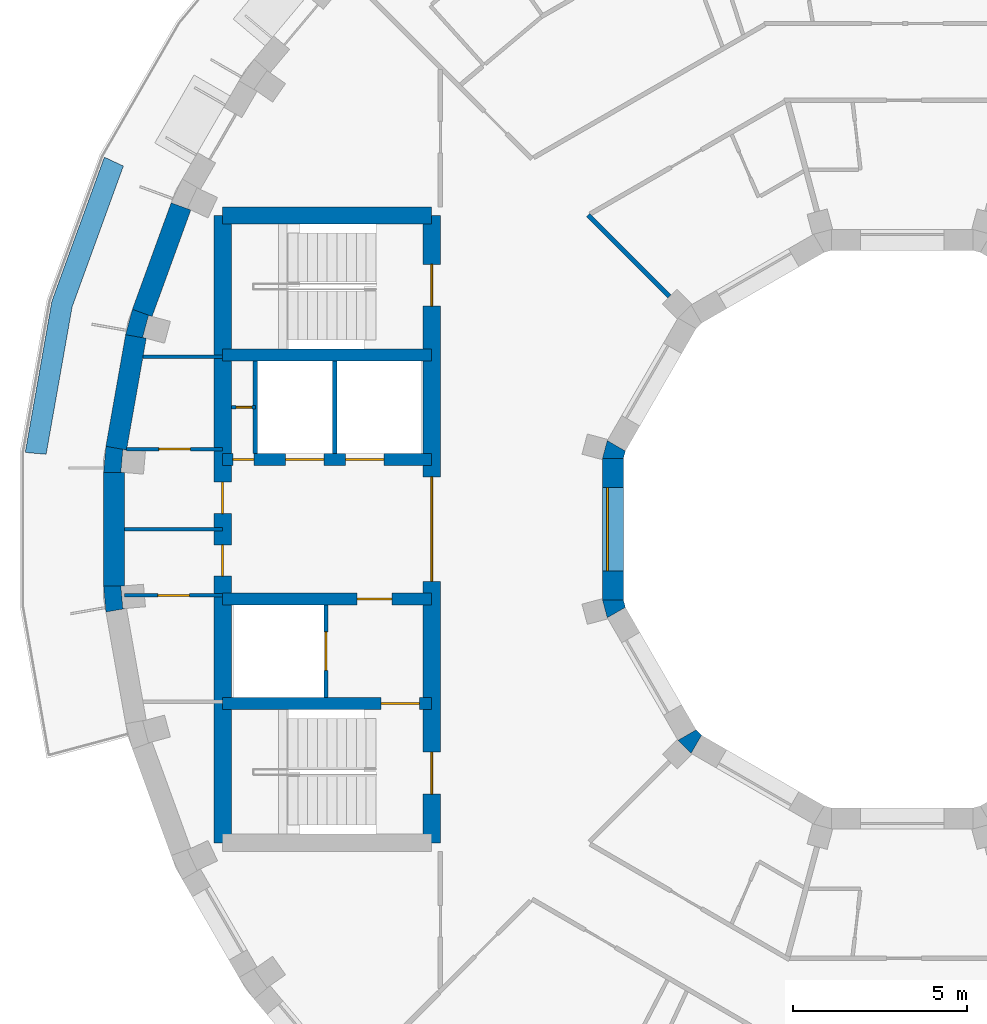
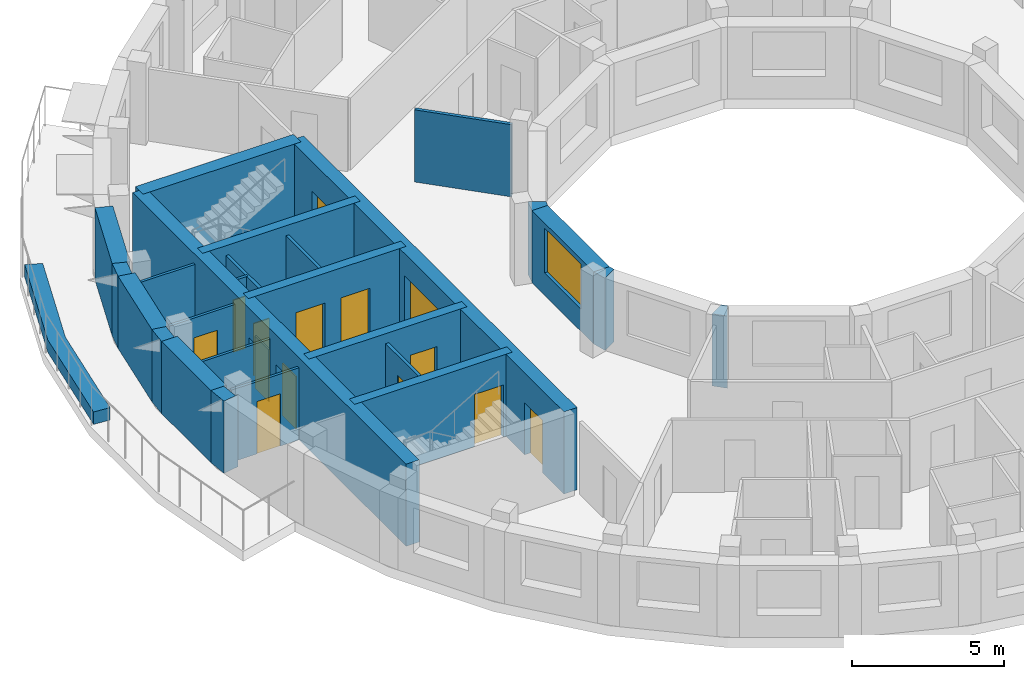
# One storey, part 4 of 10: 27 walls, 14 doors, 1 window, 15 openings.
"""IFC4 building model written with IfcOpenShell, lengths in metres."""

from ifc_helpers import new_model, si_unit, direction, frame, frame_2d, origin, place, context, subcontext, project, spatial, polyline, rectangle, outline, extrude, material, layer, layer_set, type_object, element, fill, save


model = new_model("IFC4")

# Units and contexts
model_context = context("Model", 3, precision=1e-05, world=origin(), true_north=direction((0.0, 1.0)))
body_context = subcontext(model_context, "Body", "Model", "MODEL_VIEW")
ifc_project = project(units=[si_unit("LENGTHUNIT", "METRE"), si_unit("AREAUNIT", "SQUARE_METRE"), si_unit("VOLUMEUNIT", "CUBIC_METRE"), si_unit("PLANEANGLEUNIT", "RADIAN"), si_unit("MASSUNIT", "GRAM", prefix="KILO")], contexts=[model_context])

# Site, building, storey
site_placement = place(None, origin())
site = spatial("IfcSite", under=ifc_project, at=site_placement, CompositionType="ELEMENT")
building_placement = place(site_placement, origin())
building = spatial("IfcBuilding", under=site, at=building_placement, Name="Saqina Gate Tower", CompositionType="ELEMENT")
storey_placement = place(building_placement, frame((0.0, 0.0, 242.89990234375)))
storey = spatial("IfcBuildingStorey", under=building, at=storey_placement, Name="L69", CompositionType="ELEMENT", Elevation=242.89990234375)

# Walls
ifc_material_1 = material(Name="Brick masonry (buff)", Category="masonry")
wall_type_1 = type_object("IfcWallType", Name="BRICK PIER COPING BUFF", PredefinedType="SOLIDWALL", material=ifc_material_1)
wall_1_placement = place(storey_placement, origin())
element("IfcWall", 1, at=wall_1_placement, inside=storey, type_object=wall_type_1, Name="Pier cap L69 column 17", PredefinedType="SOLIDWALL", context=body_context, shape_type="SweptSolid", body=[
    extrude(outline(polyline([(-22.281982421875, 5.579833984375), (-21.691162109375, 5.4755859375), (-21.793212890625, 5.5029296875), (-21.625, 6.130859375), (-21.52294921875, 6.103515625), (-22.0869140625, 6.30859375), (-22.281982421875, 5.579833984375)])), origin(), (0.0, 0.0, 1.0), 2.900146484375),
])
wall_2_placement = place(storey_placement, origin())
element("IfcWall", 2, at=wall_2_placement, inside=storey, type_object=wall_type_1, Name="Pier cap L69 column 18", PredefinedType="SOLIDWALL", context=body_context, shape_type="SweptSolid", body=[
    extrude(outline(polyline([(-22.8466796875, 2.377685546875), (-22.91259765625, 1.625732421875), (-22.3125, 1.625732421875), (-22.417724609375, 1.635009765625), (-22.361083984375, 2.28271484375), (-22.255859375, 2.2734375), (-22.8466796875, 2.377685546875)])), origin(), (0.0, 0.0, 1.0), 2.900146484375),
])
wall_3_placement = place(storey_placement, origin())
element("IfcWall", 3, at=wall_3_placement, inside=storey, type_object=wall_type_1, Name="Pier cap L69 column 19", PredefinedType="SOLIDWALL", context=body_context, shape_type="SweptSolid", body=[
    extrude(outline(polyline([(-22.91259765625, -1.625732421875), (-22.8466796875, -2.377685546875), (-22.255859375, -2.2734375), (-22.361083984375, -2.28271484375), (-22.417724609375, -1.635009765625), (-22.3125, -1.625732421875), (-22.91259765625, -1.625732421875)])), origin(), (0.0, 0.0, 1.0), 2.900146484375),
])

# Wall, opening, door
ifc_material_2 = material(Name="Gypsum board on steel studs", Category="steel")
ifc_layer_1 = layer(ifc_material_2, 0.10009765625)
ifc_layer_set_1 = layer_set([ifc_layer_1], Name="CORE PARTITION")
wall_type_2 = type_object("IfcWallType", Name="CORE PARTITION", PredefinedType="PARTITIONING", material=ifc_layer_set_1)
wall_4_placement = place(storey_placement, frame((-18.56005859375, 3.5, 0.0), z_axis=(0.0, 0.0, 1.0), x_axis=(-1.0, 0.0, 0.0)))
wall_4 = element("IfcWall", 4, at=wall_4_placement, inside=storey, type_object=wall_type_2, Name="L69-CP-W01", PredefinedType="PARTITIONING", context=body_context, shape_type="SweptSolid", body=[
    extrude(rectangle(XDim=0.68994140625, YDim=0.10009765625, at=frame_2d((0.344970703125, 0.0))), origin(), (0.0, 0.0, 1.0), 2.900146484375),
])
opening_1_placement = place(wall_4_placement, frame((0.10009765625, 0.0, 0.0)))
opening_1 = element("IfcOpeningElement", 5, at=opening_1_placement, cuts=wall_4, Name="Opening G20-D107", PredefinedType="OPENING", context=body_context, shape_type="SweptSolid", body=[
    extrude(rectangle(XDim=0.449951171875, YDim=2.10009765625, at=frame_2d((0.22509765625, 1.050048828125))), frame((0.0, 0.06201171875, 0.0), z_axis=(0.0, -1.0, 0.0), x_axis=(1.0, 0.0, 0.0)), (0.0, 0.0, 1.0), 0.1240234375),
])
ifc_material_3 = material(Name="Steel-framed fire door leaf, EI 60", Category="steel")
door_type_1 = type_object("IfcDoorType", Name="SERVICE ROOM DOOR 450", OperationType="SINGLE_SWING_LEFT", PredefinedType="DOOR", material=ifc_material_3)
door_1_placement = place(opening_1_placement, origin())
door_1 = element("IfcDoor", 6, at=door_1_placement, inside=storey, type_object=door_type_1, Name="L69-CD-W18", OperationType="SINGLE_SWING_RIGHT", OverallHeight=2.10009765625, OverallWidth=0.449951171875, PredefinedType="DOOR", context=body_context, shape_type="SweptSolid", body=[
    extrude(rectangle(XDim=0.449951171875, YDim=2.10009765625, at=frame_2d((0.22509765625, 1.050048828125))), frame((0.0, 0.02490234375, 0.0), z_axis=(0.0, -1.0, 0.0), x_axis=(1.0, 0.0, 0.0)), (0.0, 0.0, 1.0), 0.050048828125),
])
fill(opening_1, door_1)

# Wall
wall_5_placement = place(storey_placement, frame((-19.5, 4.949951171875, 0.0), z_axis=(0.0, 0.0, 1.0), x_axis=(-1.0, 0.0, 0.0)))
element("IfcWall", 7, at=wall_5_placement, inside=storey, type_object=wall_type_2, Name="L69-CP-W02", PredefinedType="PARTITIONING", context=body_context, shape_type="SweptSolid", body=[
    extrude(rectangle(XDim=2.283935546875, YDim=0.10009765625, at=frame_2d((1.14208984375, 0.0))), origin(), (0.0, 0.0, 1.0), 2.900146484375),
])

# Wall, opening, door
wall_6_placement = place(storey_placement, frame((-19.5, 2.300048828125, 0.0), z_axis=(0.0, 0.0, 1.0), x_axis=(-1.0, 0.0, 0.0)))
wall_6 = element("IfcWall", 8, at=wall_6_placement, inside=storey, type_object=wall_type_2, Name="L69-CP-W03", PredefinedType="PARTITIONING", context=body_context, shape_type="SweptSolid", body=[
    extrude(rectangle(XDim=2.751220703125, YDim=0.10009765625, at=frame_2d((1.37548828125, 0.0))), origin(), (0.0, 0.0, 1.0), 2.900146484375),
])
opening_2_placement = place(wall_6_placement, frame((0.925537109375, 0.0, 0.0)))
opening_2 = element("IfcOpeningElement", 9, at=opening_2_placement, cuts=wall_6, Name="Opening G20-D103", PredefinedType="OPENING", context=body_context, shape_type="SweptSolid", body=[
    extrude(rectangle(XDim=0.89990234375, YDim=2.10009765625, at=frame_2d((0.449951171875, 1.050048828125))), frame((0.0, 0.06201171875, 0.0), z_axis=(0.0, -1.0, 0.0), x_axis=(1.0, 0.0, 0.0)), (0.0, 0.0, 1.0), 0.1240234375),
])
ifc_material_4 = material(Name="Steel-framed fire door leaf, EI 60", Category="steel")
door_type_2 = type_object("IfcDoorType", Name="SERVICE ROOM DOOR 900", OperationType="SINGLE_SWING_LEFT", PredefinedType="DOOR", material=ifc_material_4)
door_2_placement = place(opening_2_placement, frame((0.89990234375, 0.0, 0.0), z_axis=(0.0, 0.0, 1.0), x_axis=(-1.0, 0.0, 0.0)))
door_2 = element("IfcDoor", 10, at=door_2_placement, inside=storey, type_object=door_type_2, Name="L69-CD-W14", OperationType="SINGLE_SWING_RIGHT", OverallHeight=2.10009765625, OverallWidth=0.89990234375, PredefinedType="DOOR", context=body_context, shape_type="SweptSolid", body=[
    extrude(rectangle(XDim=0.89990234375, YDim=2.10009765625, at=frame_2d((0.449951171875, 1.050048828125))), frame((0.0, 0.02490234375, 0.0), z_axis=(0.0, -1.0, 0.0), x_axis=(1.0, 0.0, 0.0)), (0.0, 0.0, 1.0), 0.050048828125),
])
fill(opening_2, door_2)

wall_7_placement = place(storey_placement, frame((-19.5, -1.89990234375, 0.0), z_axis=(0.0, 0.0, 1.0), x_axis=(-1.0, 0.0, 0.0)))
wall_7 = element("IfcWall", 11, at=wall_7_placement, inside=storey, type_object=wall_type_2, Name="L69-CP-W05", PredefinedType="PARTITIONING", context=body_context, shape_type="SweptSolid", body=[
    extrude(rectangle(XDim=2.8125, YDim=0.10009765625, at=frame_2d((1.40625, 0.0))), origin(), (0.0, 0.0, 1.0), 2.900146484375),
])
opening_3_placement = place(wall_7_placement, frame((0.956298828125, 0.0, 0.0)))
opening_3 = element("IfcOpeningElement", 12, at=opening_3_placement, cuts=wall_7, Name="Opening G20-D105", PredefinedType="OPENING", context=body_context, shape_type="SweptSolid", body=[
    extrude(rectangle(XDim=0.89990234375, YDim=2.10009765625, at=frame_2d((0.449951171875, 1.050048828125))), frame((0.0, 0.06201171875, 0.0), z_axis=(0.0, -1.0, 0.0), x_axis=(1.0, 0.0, 0.0)), (0.0, 0.0, 1.0), 0.1240234375),
])
door_3_placement = place(opening_3_placement, origin())
door_3 = element("IfcDoor", 13, at=door_3_placement, inside=storey, type_object=door_type_2, Name="L69-CD-W16", OperationType="SINGLE_SWING_RIGHT", OverallHeight=2.10009765625, OverallWidth=0.89990234375, PredefinedType="DOOR", context=body_context, shape_type="SweptSolid", body=[
    extrude(rectangle(XDim=0.89990234375, YDim=2.10009765625, at=frame_2d((0.449951171875, 1.050048828125))), frame((0.0, 0.02490234375, 0.0), z_axis=(0.0, -1.0, 0.0), x_axis=(1.0, 0.0, 0.0)), (0.0, 0.0, 1.0), 0.050048828125),
])
fill(opening_3, door_3)

# Walls
wall_8_placement = place(storey_placement, frame((-19.5, 0.0, 0.0), z_axis=(0.0, 0.0, 1.0), x_axis=(-1.0, 0.0, 0.0)))
element("IfcWall", 14, at=wall_8_placement, inside=storey, type_object=wall_type_2, Name="L69-CP-W06", PredefinedType="PARTITIONING", context=body_context, shape_type="SweptSolid", body=[
    extrude(rectangle(XDim=2.8125, YDim=0.10009765625, at=frame_2d((1.40625, 0.0))), origin(), (0.0, 0.0, 1.0), 2.900146484375),
])
ifc_material_5 = material(Name="Glazed ceramic tile", Category="ceramic")
ifc_layer_2 = layer(ifc_material_5, 0.60009765625)
ifc_layer_set_2 = layer_set([ifc_layer_2], Name="FW-TILE")
wall_type_3 = type_object("IfcWallType", Name="FW-TILE", PredefinedType="SOLIDWALL", material=ifc_layer_set_2)
wall_9_placement = place(storey_placement, frame((-20.692626953125, 9.26171875, 0.0), z_axis=(0.0, 0.0, 1.0), x_axis=(-0.342056509473, -0.939679383794, 0.0)))
element("IfcWall", 15, at=wall_9_placement, inside=storey, type_object=wall_type_3, Name="Facade wall L69 facet 16", PredefinedType="SOLIDWALL", context=body_context, shape_type="SweptSolid", body=[
    extrude(rectangle(XDim=3.251708984375, YDim=0.60009765625, at=frame_2d((1.6259765625, 0.0))), origin(), (0.0, 0.0, 1.0), 2.900146484375),
])
wall_10_placement = place(storey_placement, frame((-22.612548828125, 1.625732421875, 0.0), z_axis=(0.0, 0.0, 1.0), x_axis=(0.0, -1.0, 0.0)))
element("IfcWall", 16, at=wall_10_placement, inside=storey, type_object=wall_type_3, Name="Facade wall L69 facet 18", PredefinedType="SOLIDWALL", context=body_context, shape_type="SweptSolid", body=[
    extrude(rectangle(XDim=3.25146484375, YDim=0.60009765625, at=frame_2d((1.625732421875, 0.0))), origin(), (0.0, 0.0, 1.0), 2.900146484375),
])
ifc_material_6 = material(Name="Glazed ceramic tile (dark blue)", Category="ceramic")
ifc_layer_3 = layer(ifc_material_6, 0.60009765625)
ifc_layer_set_3 = layer_set([ifc_layer_3], Name="FW-TILE-CB")
wall_type_4 = type_object("IfcWallType", Name="FW-TILE-CB", PredefinedType="SOLIDWALL", material=ifc_layer_set_3)
wall_11_placement = place(storey_placement, frame((-21.986572265625, 5.52783203125, 0.0), z_axis=(0.0, 0.0, 1.0), x_axis=(-0.173656842178, -0.984806225186, 0.0)))
element("IfcWall", 17, at=wall_11_placement, inside=storey, type_object=wall_type_4, Name="Facade wall L69 facet 17", PredefinedType="SOLIDWALL", context=body_context, shape_type="SweptSolid", body=[
    extrude(rectangle(XDim=3.251708984375, YDim=0.60009765625, at=frame_2d((1.6259765625, 0.0))), origin(), (0.0, 0.0, 1.0), 2.900146484375),
])

# Wall, opening, window
ifc_material_7 = material(Name="Glazed ceramic tile", Category="ceramic")
ifc_layer_4 = layer(ifc_material_7, 0.60009765625)
ifc_layer_set_4 = layer_set([ifc_layer_4], Name="IW-TILE")
wall_type_5 = type_object("IfcWallType", Name="IW-TILE", PredefinedType="SOLIDWALL", material=ifc_layer_set_4)
wall_12_placement = place(storey_placement, frame((-8.300048828125, 2.029296875, 0.0), z_axis=(0.0, 0.0, 1.0), x_axis=(0.0, -1.0, 0.0)))
wall_12 = element("IfcWall", 18, at=wall_12_placement, inside=storey, type_object=wall_type_5, Name="Well wall L69 facet 6", PredefinedType="SOLIDWALL", context=body_context, shape_type="SweptSolid", body=[
    extrude(rectangle(XDim=4.05859375, YDim=0.60009765625, at=frame_2d((2.029296875, 0.0))), origin(), (0.0, 0.0, 1.0), 2.900146484375),
])
opening_4_placement = place(wall_12_placement, frame((0.829345703125, 0.0, 0.89990234375)))
opening_4 = element("IfcOpeningElement", 19, at=opening_4_placement, cuts=wall_12, Name="Opening G20-W30", PredefinedType="OPENING", context=body_context, shape_type="SweptSolid", body=[
    extrude(rectangle(XDim=2.39990234375, YDim=1.800048828125, at=frame_2d((1.199951171875, 0.89990234375))), frame((0.0, 0.31201171875, 0.0), z_axis=(0.0, -1.0, 0.0), x_axis=(1.0, 0.0, 0.0)), (0.0, 0.0, 1.0), 0.6240234375),
])
ifc_material_8 = material(Name="Aluminium glazing", Category="aluminium")
window_type = type_object("IfcWindowType", Name="WN-W", PartitioningType="SINGLE_PANEL", PredefinedType="WINDOW", material=ifc_material_8)
window_placement = place(opening_4_placement, origin())
window = element("IfcWindow", 20, at=window_placement, inside=storey, type_object=window_type, Name="Well window L69 facet 6", OverallHeight=1.800048828125, OverallWidth=2.39990234375, PartitioningType="SINGLE_PANEL", PredefinedType="WINDOW", context=body_context, shape_type="SweptSolid", body=[
    extrude(rectangle(XDim=2.39990234375, YDim=1.800048828125, at=frame_2d((1.199951171875, 0.89990234375))), frame((0.0, -0.119873046875, 0.0), z_axis=(0.0, -1.0, 0.0), x_axis=(1.0, 0.0, 0.0)), (0.0, 0.0, 1.0), 0.06005859375),
])
fill(opening_4, window)

# Walls
ifc_material_9 = material(Name="Gypsum board on steel studs, 125 mm, fire rated", Category="steel")
ifc_layer_5 = layer(ifc_material_9, 0.125)
ifc_layer_set_5 = layer_set([ifc_layer_5], Name="PARTITION EI 30 125")
wall_type_6 = type_object("IfcWallType", Name="PARTITION EI 30 125", PredefinedType="PARTITIONING", material=ifc_layer_set_5)
wall_13_placement = place(storey_placement, frame((-9.011962890625, 9.011962890625, 0.0), z_axis=(0.0, 0.0, 1.0), x_axis=(0.707106781187, -0.707106781187, 0.0)))
element("IfcWall", 21, at=wall_13_placement, inside=storey, type_object=wall_type_6, Name="PARTITION PW1-07", PredefinedType="PARTITIONING", context=body_context, shape_type="SweptSolid", body=[
    extrude(rectangle(XDim=3.302490234375, YDim=0.125, at=frame_2d((1.6513671875, 0.0))), origin(), (0.0, 0.0, 1.0), 2.900146484375),
])
ifc_material_10 = material(Name="Brick masonry (red)", Category="masonry")
ifc_layer_6 = layer(ifc_material_10, 0.60009765625)
ifc_layer_set_6 = layer_set([ifc_layer_6], Name="PL-PLANTER")
wall_type_7 = type_object("IfcWallType", Name="PL-PLANTER", PredefinedType="PARAPET", material=ifc_layer_set_6)
wall_14_placement = place(storey_placement, origin())
element("IfcWall", 22, at=wall_14_placement, inside=storey, type_object=wall_type_7, Name="Planter L69", PredefinedType="PARAPET", context=body_context, shape_type="SweptSolid", body=[
    extrude(outline(polyline([(-22.89208984375, 10.6748046875), (-24.39794921875, 6.537353515625), (-25.16259765625, 2.201416015625), (-24.5625, 2.14892578125), (-23.816162109375, 6.381591796875), (-22.34619140625, 10.420166015625), (-22.89208984375, 10.6748046875)])), origin(), (0.0, 0.0, 1.0), 0.5),
])
ifc_material_11 = material(Name="Autoclaved aerated concrete block", Category="concrete")
ifc_layer_7 = layer(ifc_material_11, 0.1201171875)
ifc_layer_set_7 = layer_set([ifc_layer_7], Name="SHAFT PARTITION")
wall_type_8 = type_object("IfcWallType", Name="SHAFT PARTITION", PredefinedType="PARTITIONING", material=ifc_layer_set_7)
for number, where, z_axis, x_axis, name in (
    (23, (-16.280029296875, 2.175048828125, 0.0), (0.0, 0.0, 1.0), (0.0, 1.0, 0.0), "L69-CP-W07"),
    (24, (-18.56005859375, 2.175048828125, 0.0), (0.0, 0.0, 1.0), (0.0, 1.0, 0.0), "L69-CP-W08"),
):
    element("IfcWall", number, at=place(storey_placement, frame(where, z_axis=z_axis, x_axis=x_axis)), inside=storey, type_object=wall_type_8, Name=name, PredefinedType="PARTITIONING", context=body_context, shape_type="SweptSolid", body=[
        extrude(rectangle(XDim=2.64990234375, YDim=0.1201171875, at=frame_2d((1.324951171875, 0.0))), origin(), (0.0, 0.0, 1.0), 2.900146484375),
    ])

# Wall, opening, door
wall_15_placement = place(storey_placement, frame((-16.530029296875, -4.824951171875, 0.0), z_axis=(0.0, 0.0, 1.0), x_axis=(0.0, 1.0, 0.0)))
wall_15 = element("IfcWall", 25, at=wall_15_placement, inside=storey, type_object=wall_type_8, Name="L69-CP-W09", PredefinedType="PARTITIONING", context=body_context, shape_type="SweptSolid", body=[
    extrude(rectangle(XDim=2.64990234375, YDim=0.1201171875, at=frame_2d((1.324951171875, 0.0))), origin(), (0.0, 0.0, 1.0), 2.900146484375),
])
opening_5_placement = place(wall_15_placement, frame((0.77490234375, 0.0, 0.0)))
opening_5 = element("IfcOpeningElement", 26, at=opening_5_placement, cuts=wall_15, Name="Opening G20-LD6", PredefinedType="OPENING", context=body_context, shape_type="SweptSolid", body=[
    extrude(rectangle(XDim=1.10009765625, YDim=2.10009765625, at=frame_2d((0.550048828125, 1.050048828125))), frame((0.0, 0.072021484375, 0.0), z_axis=(0.0, -1.0, 0.0), x_axis=(1.0, 0.0, 0.0)), (0.0, 0.0, 1.0), 0.14404296875),
])
ifc_material_12 = material(Name="Stainless steel", Category="steel")
door_type_3 = type_object("IfcDoorType", Name="LANDING DOOR", OperationType="DOUBLE_DOOR_SLIDING", PredefinedType="DOOR", material=ifc_material_12)
door_4_placement = place(opening_5_placement, origin())
door_4 = element("IfcDoor", 27, at=door_4_placement, inside=storey, type_object=door_type_3, Name="LANDING DOOR FF2", OperationType="DOUBLE_DOOR_SLIDING", OverallHeight=2.10009765625, OverallWidth=1.10009765625, PredefinedType="DOOR", context=body_context, shape_type="SweptSolid", body=[
    extrude(rectangle(XDim=1.10009765625, YDim=2.10009765625, at=frame_2d((0.550048828125, 1.050048828125))), frame((0.0, 0.02490234375, 0.0), z_axis=(0.0, -1.0, 0.0), x_axis=(1.0, 0.0, 0.0)), (0.0, 0.0, 1.0), 0.050048828125),
])
fill(opening_5, door_4)

# Wall
ifc_material_13 = material(Name="Concrete C60/75", Category="concrete")
ifc_layer_8 = layer(ifc_material_13, 0.35009765625)
ifc_layer_set_8 = layer_set([ifc_layer_8], Name="Concrete C60/75")
wall_type_9 = type_object("IfcWallType", Name="STR-CORE WALL-D-I", PredefinedType="SHEAR", material=ifc_layer_set_8)
wall_16_placement = place(storey_placement, frame((-13.5, 5.0, 0.0), z_axis=(0.0, 0.0, 1.0), x_axis=(-1.0, 0.0, 0.0)))
element("IfcWall", 28, at=wall_16_placement, inside=storey, type_object=wall_type_9, Name="CORE WALL L69 W-X1", PredefinedType="SHEAR", context=body_context, shape_type="SweptSolid", body=[
    extrude(rectangle(XDim=6.0, YDim=0.35009765625, at=frame_2d((3.0, 0.0))), origin(), (0.0, 0.0, 1.0), 3.300048828125),
])

# Wall, opening, door
wall_17_placement = place(storey_placement, frame((-13.5, -5.0, 0.0), z_axis=(0.0, 0.0, 1.0), x_axis=(-1.0, 0.0, 0.0)))
wall_17 = element("IfcWall", 29, at=wall_17_placement, inside=storey, type_object=wall_type_9, Name="CORE WALL L69 W-X2", PredefinedType="SHEAR", context=body_context, shape_type="SweptSolid", body=[
    extrude(rectangle(XDim=6.0, YDim=0.35009765625, at=frame_2d((3.0, 0.0))), origin(), (0.0, 0.0, 1.0), 3.300048828125),
])
opening_6_placement = place(wall_17_placement, frame((0.35009765625, 0.0, 0.0)))
opening_6 = element("IfcOpeningElement", 30, at=opening_6_placement, cuts=wall_17, Name="Opening G20-D108", PredefinedType="OPENING", context=body_context, shape_type="SweptSolid", body=[
    extrude(rectangle(XDim=1.10009765625, YDim=2.10009765625, at=frame_2d((0.550048828125, 1.050048828125))), frame((0.0, 0.18701171875, 0.0), z_axis=(0.0, -1.0, 0.0), x_axis=(1.0, 0.0, 0.0)), (0.0, 0.0, 1.0), 0.3740234375),
])
ifc_material_14 = material(Name="Steel", Category="steel")
door_type_4 = type_object("IfcDoorType", Name="FIRE LOBBY DOOR EI 60 WIDE", OperationType="SINGLE_SWING_LEFT", PredefinedType="DOOR", material=ifc_material_14)
door_5_placement = place(opening_6_placement, origin())
door_5 = element("IfcDoor", 31, at=door_5_placement, inside=storey, type_object=door_type_4, Name="L69-CD-W19", OperationType="SINGLE_SWING_LEFT", OverallHeight=2.10009765625, OverallWidth=1.10009765625, PredefinedType="DOOR", context=body_context, shape_type="SweptSolid", body=[
    extrude(rectangle(XDim=1.10009765625, YDim=2.10009765625, at=frame_2d((0.550048828125, 1.050048828125))), frame((0.0, 0.02490234375, 0.0), z_axis=(0.0, -1.0, 0.0), x_axis=(1.0, 0.0, 0.0)), (0.0, 0.0, 1.0), 0.050048828125),
])
fill(opening_6, door_5)

# Wall, openings, doors
wall_18_placement = place(storey_placement, frame((-13.5, 2.0, 0.0), z_axis=(0.0, 0.0, 1.0), x_axis=(-1.0, 0.0, 0.0)))
wall_18 = element("IfcWall", 32, at=wall_18_placement, inside=storey, type_object=wall_type_9, Name="CORE WALL L69 W-L1", PredefinedType="SHEAR", context=body_context, shape_type="SweptSolid", body=[
    extrude(rectangle(XDim=6.0, YDim=0.35009765625, at=frame_2d((3.0, 0.0))), origin(), (0.0, 0.0, 1.0), 3.300048828125),
])
opening_7_placement = place(wall_18_placement, frame((1.3701171875, 0.0, 0.0)))
opening_7 = element("IfcOpeningElement", 33, at=opening_7_placement, cuts=wall_18, Name="Opening G20-LD4", PredefinedType="OPENING", context=body_context, shape_type="SweptSolid", body=[
    extrude(rectangle(XDim=1.10009765625, YDim=2.10009765625, at=frame_2d((0.550048828125, 1.050048828125))), frame((0.0, 0.18701171875, 0.0), z_axis=(0.0, -1.0, 0.0), x_axis=(1.0, 0.0, 0.0)), (0.0, 0.0, 1.0), 0.3740234375),
])
opening_8_placement = place(wall_18_placement, frame((3.090087890625, 0.0, 0.0)))
opening_8 = element("IfcOpeningElement", 34, at=opening_8_placement, cuts=wall_18, Name="Opening G20-LD5", PredefinedType="OPENING", context=body_context, shape_type="SweptSolid", body=[
    extrude(rectangle(XDim=1.10009765625, YDim=2.10009765625, at=frame_2d((0.550048828125, 1.050048828125))), frame((0.0, 0.18701171875, 0.0), z_axis=(0.0, -1.0, 0.0), x_axis=(1.0, 0.0, 0.0)), (0.0, 0.0, 1.0), 0.3740234375),
])
opening_9_placement = place(wall_18_placement, frame((5.10498046875, 0.0, 0.0)))
opening_9 = element("IfcOpeningElement", 35, at=opening_9_placement, cuts=wall_18, Name="Opening G20-D101", PredefinedType="OPENING", context=body_context, shape_type="SweptSolid", body=[
    extrude(rectangle(XDim=0.60009765625, YDim=2.10009765625, at=frame_2d((0.300048828125, 1.050048828125))), frame((0.0, 0.18701171875, 0.0), z_axis=(0.0, -1.0, 0.0), x_axis=(1.0, 0.0, 0.0)), (0.0, 0.0, 1.0), 0.3740234375),
])
door_6_placement = place(opening_7_placement, origin())
door_6 = element("IfcDoor", 36, at=door_6_placement, inside=storey, type_object=door_type_3, Name="LANDING DOOR HR3", OperationType="DOUBLE_DOOR_SLIDING", OverallHeight=2.10009765625, OverallWidth=1.10009765625, PredefinedType="DOOR", context=body_context, shape_type="SweptSolid", body=[
    extrude(rectangle(XDim=1.10009765625, YDim=2.10009765625, at=frame_2d((0.550048828125, 1.050048828125))), frame((0.0, 0.02490234375, 0.0), z_axis=(0.0, -1.0, 0.0), x_axis=(1.0, 0.0, 0.0)), (0.0, 0.0, 1.0), 0.050048828125),
])
fill(opening_7, door_6)
door_7_placement = place(opening_8_placement, origin())
door_7 = element("IfcDoor", 37, at=door_7_placement, inside=storey, type_object=door_type_3, Name="LANDING DOOR HR4", OperationType="DOUBLE_DOOR_SLIDING", OverallHeight=2.10009765625, OverallWidth=1.10009765625, PredefinedType="DOOR", context=body_context, shape_type="SweptSolid", body=[
    extrude(rectangle(XDim=1.10009765625, YDim=2.10009765625, at=frame_2d((0.550048828125, 1.050048828125))), frame((0.0, 0.02490234375, 0.0), z_axis=(0.0, -1.0, 0.0), x_axis=(1.0, 0.0, 0.0)), (0.0, 0.0, 1.0), 0.050048828125),
])
fill(opening_8, door_7)
ifc_material_15 = material(Name="Steel-framed fire door leaf, EI 60", Category="steel")
door_type_5 = type_object("IfcDoorType", Name="SERVICE ROOM DOOR 600", OperationType="SINGLE_SWING_LEFT", PredefinedType="DOOR", material=ifc_material_15)
door_8_placement = place(opening_9_placement, frame((0.60009765625, 0.0, 0.0), z_axis=(0.0, 0.0, 1.0), x_axis=(-1.0, 0.0, 0.0)))
door_8 = element("IfcDoor", 38, at=door_8_placement, inside=storey, type_object=door_type_5, Name="L69-CD-W12", OperationType="SINGLE_SWING_LEFT", OverallHeight=2.10009765625, OverallWidth=0.60009765625, PredefinedType="DOOR", context=body_context, shape_type="SweptSolid", body=[
    extrude(rectangle(XDim=0.60009765625, YDim=2.10009765625, at=frame_2d((0.300048828125, 1.050048828125))), frame((0.0, 0.02490234375, 0.0), z_axis=(0.0, -1.0, 0.0), x_axis=(1.0, 0.0, 0.0)), (0.0, 0.0, 1.0), 0.050048828125),
])
fill(opening_9, door_8)

# Wall, opening, door
wall_19_placement = place(storey_placement, frame((-13.5, -2.0, 0.0), z_axis=(0.0, 0.0, 1.0), x_axis=(-1.0, 0.0, 0.0)))
wall_19 = element("IfcWall", 39, at=wall_19_placement, inside=storey, type_object=wall_type_9, Name="CORE WALL L69 W-L2", PredefinedType="SHEAR", context=body_context, shape_type="SweptSolid", body=[
    extrude(rectangle(XDim=6.0, YDim=0.35009765625, at=frame_2d((3.0, 0.0))), origin(), (0.0, 0.0, 1.0), 3.300048828125),
])
opening_10_placement = place(wall_19_placement, frame((1.139892578125, 0.0, 0.0)))
opening_10 = element("IfcOpeningElement", 40, at=opening_10_placement, cuts=wall_19, Name="Opening G20-D102", PredefinedType="OPENING", context=body_context, shape_type="SweptSolid", body=[
    extrude(rectangle(XDim=1.0, YDim=2.10009765625, at=frame_2d((0.5, 1.050048828125))), frame((0.0, 0.18701171875, 0.0), z_axis=(0.0, -1.0, 0.0), x_axis=(1.0, 0.0, 0.0)), (0.0, 0.0, 1.0), 0.3740234375),
])
ifc_material_16 = material(Name="Steel", Category="steel")
door_type_6 = type_object("IfcDoorType", Name="FIRE LOBBY DOOR EI 60", OperationType="SINGLE_SWING_LEFT", PredefinedType="DOOR", material=ifc_material_16)
door_9_placement = place(opening_10_placement, frame((1.0, 0.0, 0.0), z_axis=(0.0, 0.0, 1.0), x_axis=(-1.0, 0.0, 0.0)))
door_9 = element("IfcDoor", 41, at=door_9_placement, inside=storey, type_object=door_type_6, Name="L69-CD-W13", OperationType="SINGLE_SWING_RIGHT", OverallHeight=2.10009765625, OverallWidth=1.0, PredefinedType="DOOR", context=body_context, shape_type="SweptSolid", body=[
    extrude(rectangle(XDim=1.0, YDim=2.10009765625, at=frame_2d((0.5, 1.050048828125))), frame((0.0, 0.02490234375, 0.0), z_axis=(0.0, -1.0, 0.0), x_axis=(1.0, 0.0, 0.0)), (0.0, 0.0, 1.0), 0.050048828125),
])
fill(opening_10, door_9)

# Wall, openings, doors
ifc_material_17 = material(Name="Concrete C60/75", Category="concrete")
ifc_layer_9 = layer(ifc_material_17, 0.5)
ifc_layer_set_9 = layer_set([ifc_layer_9], Name="Concrete C60/75")
wall_type_10 = type_object("IfcWallType", Name="STR-CORE WALL-D-O", PredefinedType="SHEAR", material=ifc_layer_set_9)
wall_20_placement = place(storey_placement, frame((-13.5, -9.0, 0.0), z_axis=(0.0, 0.0, 1.0), x_axis=(0.0, 1.0, 0.0)))
wall_20 = element("IfcWall", 42, at=wall_20_placement, inside=storey, type_object=wall_type_10, Name="CORE WALL L69 W-W1", PredefinedType="SHEAR", context=body_context, shape_type="SweptSolid", body=[
    extrude(rectangle(XDim=18.0, YDim=0.5, at=frame_2d((9.0, 0.0))), origin(), (0.0, 0.0, 1.0), 3.300048828125),
])
opening_11_placement = place(wall_20_placement, frame((15.39990234375, 0.0, 0.0)))
opening_11 = element("IfcOpeningElement", 43, at=opening_11_placement, cuts=wall_20, Name="Opening G20-D109", PredefinedType="OPENING", context=body_context, shape_type="SweptSolid", body=[
    extrude(rectangle(XDim=1.199951171875, YDim=2.10009765625, at=frame_2d((0.60009765625, 1.050048828125))), frame((0.0, 0.261962890625, 0.0), z_axis=(0.0, -1.0, 0.0), x_axis=(1.0, 0.0, 0.0)), (0.0, 0.0, 1.0), 0.52392578125),
])
opening_12_placement = place(wall_20_placement, frame((1.39990234375, 0.0, 0.0)))
opening_12 = element("IfcOpeningElement", 44, at=opening_12_placement, cuts=wall_20, Name="Opening G20-D110", PredefinedType="OPENING", context=body_context, shape_type="SweptSolid", body=[
    extrude(rectangle(XDim=1.199951171875, YDim=2.10009765625, at=frame_2d((0.60009765625, 1.050048828125))), frame((0.0, 0.261962890625, 0.0), z_axis=(0.0, -1.0, 0.0), x_axis=(1.0, 0.0, 0.0)), (0.0, 0.0, 1.0), 0.52392578125),
])
opening_13_placement = place(wall_20_placement, frame((7.5, 0.0, 0.0)))
opening_13 = element("IfcOpeningElement", 45, at=opening_13_placement, cuts=wall_20, Name="Opening G20-D111", PredefinedType="OPENING", context=body_context, shape_type="SweptSolid", body=[
    extrude(rectangle(XDim=3.0, YDim=2.39990234375, at=frame_2d((1.5, 1.199951171875))), frame((0.0, 0.261962890625, 0.0), z_axis=(0.0, -1.0, 0.0), x_axis=(1.0, 0.0, 0.0)), (0.0, 0.0, 1.0), 0.52392578125),
])
ifc_material_18 = material(Name="Steel", Category="steel")
door_type_7 = type_object("IfcDoorType", Name="FIRE DOOR EI 60", OperationType="SINGLE_SWING_LEFT", PredefinedType="DOOR", material=ifc_material_18)
door_10_placement = place(opening_11_placement, origin())
door_10 = element("IfcDoor", 46, at=door_10_placement, inside=storey, type_object=door_type_7, Name="L69-CD-W20", OperationType="SINGLE_SWING_RIGHT", OverallHeight=2.10009765625, OverallWidth=1.199951171875, PredefinedType="DOOR", context=body_context, shape_type="SweptSolid", body=[
    extrude(rectangle(XDim=1.199951171875, YDim=2.10009765625, at=frame_2d((0.60009765625, 1.050048828125))), frame((0.0, 0.02490234375, 0.0), z_axis=(0.0, -1.0, 0.0), x_axis=(1.0, 0.0, 0.0)), (0.0, 0.0, 1.0), 0.050048828125),
])
fill(opening_11, door_10)
door_11_placement = place(opening_12_placement, origin())
door_11 = element("IfcDoor", 47, at=door_11_placement, inside=storey, type_object=door_type_7, Name="L69-CD-W21", OperationType="SINGLE_SWING_LEFT", OverallHeight=2.10009765625, OverallWidth=1.199951171875, PredefinedType="DOOR", context=body_context, shape_type="SweptSolid", body=[
    extrude(rectangle(XDim=1.199951171875, YDim=2.10009765625, at=frame_2d((0.60009765625, 1.050048828125))), frame((0.0, 0.02490234375, 0.0), z_axis=(0.0, -1.0, 0.0), x_axis=(1.0, 0.0, 0.0)), (0.0, 0.0, 1.0), 0.050048828125),
])
fill(opening_12, door_11)
ifc_material_19 = material(Name="Steel and fire-resisting glass", Category="steel")
door_type_8 = type_object("IfcDoorType", Name="LOBBY SCREEN DOOR", OperationType="DOUBLE_DOOR_SLIDING", PredefinedType="DOOR", material=ifc_material_19)
door_12_placement = place(opening_13_placement, origin())
door_12 = element("IfcDoor", 48, at=door_12_placement, inside=storey, type_object=door_type_8, Name="L69-CD-W22", OperationType="DOUBLE_DOOR_SLIDING", OverallHeight=2.39990234375, OverallWidth=3.0, PredefinedType="DOOR", context=body_context, shape_type="SweptSolid", body=[
    extrude(rectangle(XDim=3.0, YDim=2.39990234375, at=frame_2d((1.5, 1.199951171875))), frame((0.0, 0.02490234375, 0.0), z_axis=(0.0, -1.0, 0.0), x_axis=(1.0, 0.0, 0.0)), (0.0, 0.0, 1.0), 0.050048828125),
])
fill(opening_13, door_12)

wall_21_placement = place(storey_placement, frame((-19.5, -9.0, 0.0), z_axis=(0.0, 0.0, 1.0), x_axis=(0.0, 1.0, 0.0)))
wall_21 = element("IfcWall", 49, at=wall_21_placement, inside=storey, type_object=wall_type_10, Name="CORE WALL L69 W-W2", PredefinedType="SHEAR", context=body_context, shape_type="SweptSolid", body=[
    extrude(rectangle(XDim=18.0, YDim=0.5, at=frame_2d((9.0, 0.0))), origin(), (0.0, 0.0, 1.0), 3.300048828125),
])
opening_14_placement = place(wall_21_placement, frame((9.449951171875, 0.0, 0.0)))
opening_14 = element("IfcOpeningElement", 50, at=opening_14_placement, cuts=wall_21, Name="Opening G20-D104", PredefinedType="OPENING", context=body_context, shape_type="SweptSolid", body=[
    extrude(rectangle(XDim=0.89990234375, YDim=2.10009765625, at=frame_2d((0.449951171875, 1.050048828125))), frame((0.0, 0.261962890625, 0.0), z_axis=(0.0, -1.0, 0.0), x_axis=(1.0, 0.0, 0.0)), (0.0, 0.0, 1.0), 0.52392578125),
])
opening_15_placement = place(wall_21_placement, frame((7.64990234375, 0.0, 0.0)))
opening_15 = element("IfcOpeningElement", 51, at=opening_15_placement, cuts=wall_21, Name="Opening G20-D106", PredefinedType="OPENING", context=body_context, shape_type="SweptSolid", body=[
    extrude(rectangle(XDim=0.89990234375, YDim=2.10009765625, at=frame_2d((0.449951171875, 1.050048828125))), frame((0.0, 0.261962890625, 0.0), z_axis=(0.0, -1.0, 0.0), x_axis=(1.0, 0.0, 0.0)), (0.0, 0.0, 1.0), 0.52392578125),
])
door_13_placement = place(opening_14_placement, origin())
door_13 = element("IfcDoor", 52, at=door_13_placement, inside=storey, type_object=door_type_2, Name="L69-CD-W15", OperationType="SINGLE_SWING_LEFT", OverallHeight=2.10009765625, OverallWidth=0.89990234375, PredefinedType="DOOR", context=body_context, shape_type="SweptSolid", body=[
    extrude(rectangle(XDim=0.89990234375, YDim=2.10009765625, at=frame_2d((0.449951171875, 1.050048828125))), frame((0.0, 0.02490234375, 0.0), z_axis=(0.0, -1.0, 0.0), x_axis=(1.0, 0.0, 0.0)), (0.0, 0.0, 1.0), 0.050048828125),
])
fill(opening_14, door_13)
door_14_placement = place(opening_15_placement, origin())
door_14 = element("IfcDoor", 53, at=door_14_placement, inside=storey, type_object=door_type_2, Name="L69-CD-W17", OperationType="SINGLE_SWING_LEFT", OverallHeight=2.10009765625, OverallWidth=0.89990234375, PredefinedType="DOOR", context=body_context, shape_type="SweptSolid", body=[
    extrude(rectangle(XDim=0.89990234375, YDim=2.10009765625, at=frame_2d((0.449951171875, 1.050048828125))), frame((0.0, 0.02490234375, 0.0), z_axis=(0.0, -1.0, 0.0), x_axis=(1.0, 0.0, 0.0)), (0.0, 0.0, 1.0), 0.050048828125),
])
fill(opening_15, door_14)

# Walls
wall_22_placement = place(storey_placement, frame((-13.5, 9.0, 0.0), z_axis=(0.0, 0.0, 1.0), x_axis=(-1.0, 0.0, 0.0)))
element("IfcWall", 54, at=wall_22_placement, inside=storey, type_object=wall_type_10, Name="CORE WALL L69 W-NE", PredefinedType="SHEAR", context=body_context, shape_type="SweptSolid", body=[
    extrude(rectangle(XDim=6.0, YDim=0.5, at=frame_2d((3.0, 0.0))), origin(), (0.0, 0.0, 1.0), 3.300048828125),
])
ifc_material_20 = material(Name="Glazed ceramic tile", Category="ceramic")
wall_type_11 = type_object("IfcWallType", Name="TILE PIER COPING", PredefinedType="SOLIDWALL", material=ifc_material_20)
wall_23_placement = place(storey_placement, origin())
element("IfcWall", 55, at=wall_23_placement, inside=storey, type_object=wall_type_11, Name="Well pier cap L69 column 6", PredefinedType="SOLIDWALL", context=body_context, shape_type="SweptSolid", body=[
    extrude(outline(polyline([(-8.60009765625, 2.029296875), (-8.0, 2.029296875), (-7.94287109375, 2.242431640625), (-8.46240234375, 2.54248046875), (-8.60009765625, 2.029296875)])), origin(), (0.0, 0.0, 1.0), 2.900146484375),
])
wall_24_placement = place(storey_placement, origin())
element("IfcWall", 56, at=wall_24_placement, inside=storey, type_object=wall_type_11, Name="Well pier cap L69 column 7", PredefinedType="SOLIDWALL", context=body_context, shape_type="SweptSolid", body=[
    extrude(outline(polyline([(-8.46240234375, -2.54248046875), (-7.94287109375, -2.242431640625), (-8.0, -2.029296875), (-8.60009765625, -2.029296875), (-8.46240234375, -2.54248046875)])), origin(), (0.0, 0.0, 1.0), 2.900146484375),
])
wall_25_placement = place(storey_placement, origin())
element("IfcWall", 57, at=wall_25_placement, inside=storey, type_object=wall_type_11, Name="Well pier cap L69 column 8", PredefinedType="SOLIDWALL", context=body_context, shape_type="SweptSolid", body=[
    extrude(outline(polyline([(-6.0576171875, -6.43310546875), (-5.757568359375, -5.91357421875), (-5.91357421875, -5.757568359375), (-6.43310546875, -6.0576171875), (-6.0576171875, -6.43310546875)])), origin(), (0.0, 0.0, 1.0), 2.900146484375),
])

save(model, "model.ifc")
